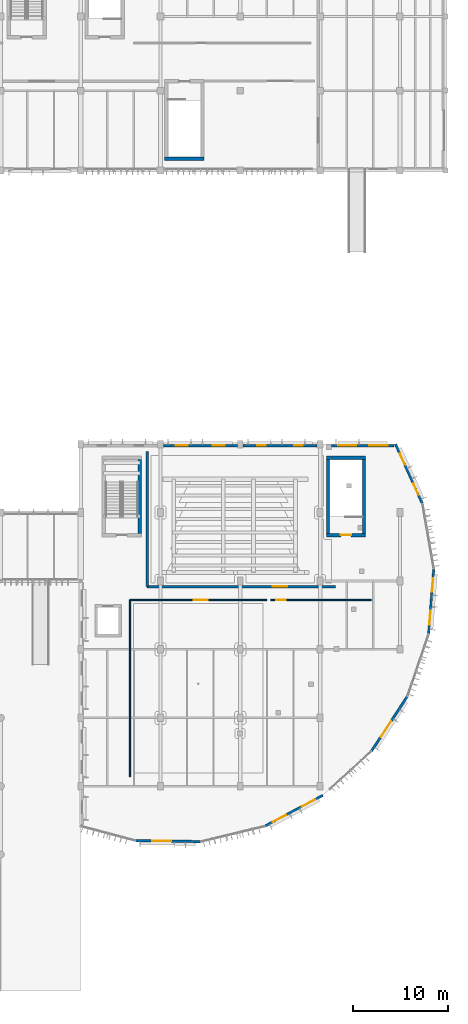
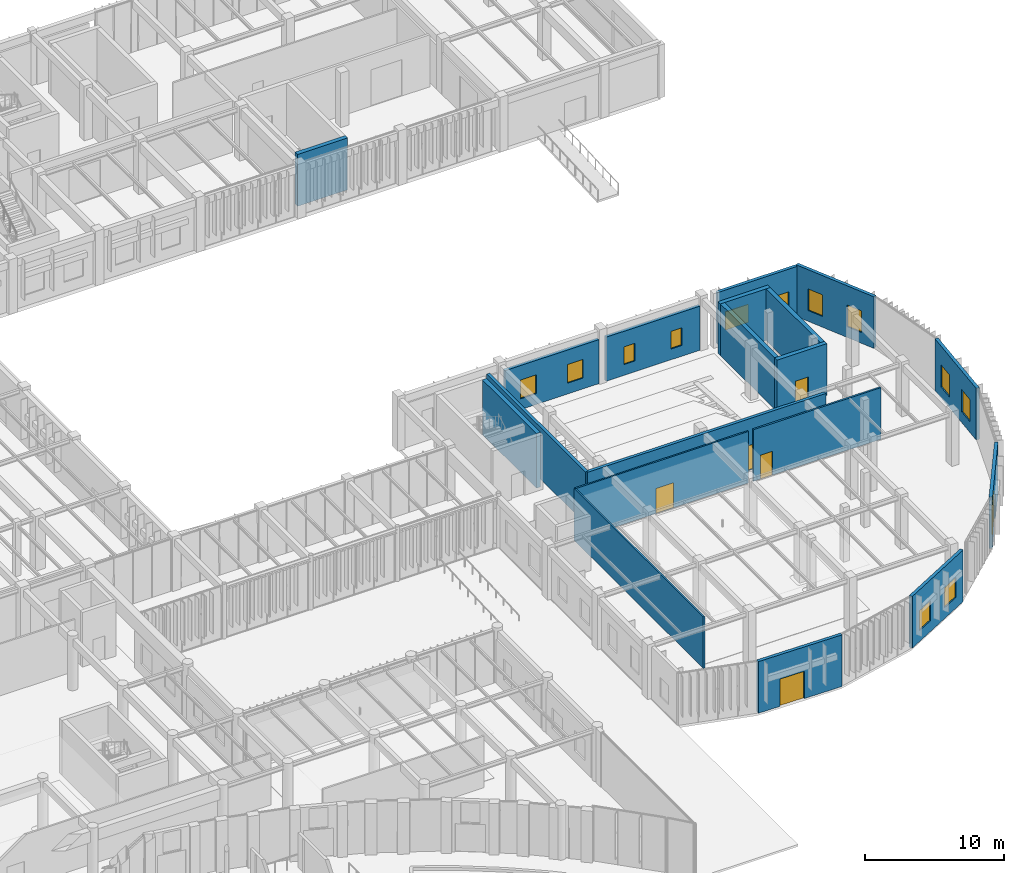
# One storey, part 40 of 122: 19 walls, 12 windows, 6 doors, 18 openings.
"""IFC4 building model written with IfcOpenShell, lengths in metres."""

from ifc_helpers import new_model, si_unit, direction, frame, frame_2d, origin, place, context, subcontext, project, spatial, rectangle, extrude, material, layer, layer_set, type_object, element, fill, save


model = new_model("IFC4")

# Units and contexts
model_context = context("Model", 3, precision=1e-05, world=origin(), true_north=direction((0.0, 1.0)))
body_context = subcontext(model_context, "Body", "Model", "MODEL_VIEW")
ifc_project = project(units=[si_unit("LENGTHUNIT", "METRE"), si_unit("AREAUNIT", "SQUARE_METRE"), si_unit("VOLUMEUNIT", "CUBIC_METRE"), si_unit("PLANEANGLEUNIT", "RADIAN"), si_unit("MASSUNIT", "GRAM", prefix="KILO")], contexts=[model_context])

# Site, building, storey
site_placement = place(None, origin())
site = spatial("IfcSite", under=ifc_project, at=site_placement, CompositionType="ELEMENT")
building_placement = place(site_placement, origin())
building = spatial("IfcBuilding", under=site, at=building_placement, Name="Tazoul Stagehouse", CompositionType="ELEMENT")
storey_placement = place(building_placement, origin())
storey = spatial("IfcBuildingStorey", under=building, at=storey_placement, Name="L00", CompositionType="ELEMENT", Elevation=0.0)

# Wall, opening, door
ifc_material_1 = material(Name="Gypsum Acoustic Partition", Category="gypsum")
ifc_layer_1 = layer(ifc_material_1, 0.25, Name="Gypsum Acoustic Partition")
ifc_layer_set_1 = layer_set([ifc_layer_1], Name="Gypsum Acoustic Partition")
wall_type_1 = type_object("IfcWallType", Name="Acoustic Hall Double-Stud Partition 250", PredefinedType="PARTITIONING", material=ifc_layer_set_1)
wall_1_placement = place(storey_placement, frame((152.199951171875, 44.0, 0.0), z_axis=(0.0, 0.0, 1.0), x_axis=(-1.0, 0.0, 0.0)))
wall_1 = element("IfcWall", 1, at=wall_1_placement, inside=storey, type_object=wall_type_1, Name="L00 Partition PW-250 (PW-RM-L00-026-S)", PredefinedType="PARTITIONING", context=body_context, shape_type="SweptSolid", body=[
    extrude(rectangle(XDim=19.800048828125, YDim=0.25, at=frame_2d((9.89990234375, 0.0))), origin(), (0.0, 0.0, 1.0), 4.5400390625),
])
opening_1_placement = place(wall_1_placement, frame((5.04638671875, 0.0, 0.0)))
opening_1 = element("IfcOpeningElement", 2, at=opening_1_placement, cuts=wall_1, Name="Opening ID-16", PredefinedType="OPENING", context=body_context, shape_type="SweptSolid", body=[
    extrude(rectangle(XDim=1.550048828125, YDim=2.199951171875, at=frame_2d((0.77490234375, 1.10009765625))), frame((0.0, 0.14501953125, 0.0), z_axis=(0.0, -1.0, 0.0), x_axis=(1.0, 0.0, 0.0)), (0.0, 0.0, 1.0), 0.2900390625),
])
ifc_material_2 = material(Name="Acoustic Cedar Timber", Category="wood")
door_type_1 = type_object("IfcDoorType", Name="Studio Theatre Acoustic Double Door 1550x2200", OperationType="DOUBLE_DOOR_SINGLE_SWING", PredefinedType="DOOR", material=ifc_material_2)
door_1_placement = place(opening_1_placement, origin())
door_1 = element("IfcDoor", 3, at=door_1_placement, inside=storey, type_object=door_type_1, Name="L00 Flexible Studio Theatre Bowl Door", OperationType="DOUBLE_DOOR_SINGLE_SWING", OverallHeight=2.199951171875, OverallWidth=1.550048828125, PredefinedType="DOOR", context=body_context, shape_type="SweptSolid", body=[
    extrude(rectangle(XDim=1.550048828125, YDim=2.199951171875, at=frame_2d((0.77490234375, 1.10009765625))), frame((0.0, 0.02490234375, 0.0), z_axis=(0.0, -1.0, 0.0), x_axis=(1.0, 0.0, 0.0)), (0.0, 0.0, 1.0), 0.050048828125),
])
fill(opening_1, door_1)

# Walls
wall_2_placement = place(storey_placement, frame((132.39990234375, 44.0, 0.0), z_axis=(0.0, 0.0, 1.0), x_axis=(0.0, 1.0, 0.0)))
element("IfcWall", 4, at=wall_2_placement, inside=storey, type_object=wall_type_1, Name="L00 Partition PW-250 (PW-RM-L00-026-W)", PredefinedType="PARTITIONING", context=body_context, shape_type="SweptSolid", body=[
    extrude(rectangle(XDim=14.199951171875, YDim=0.25, at=frame_2d((7.10009765625, 0.0))), origin(), (0.0, 0.0, 1.0), 4.5400390625),
])
ifc_material_3 = material(Name="Concrete C40/50", Category="concrete")
ifc_layer_2 = layer(ifc_material_3, 0.35009765625, Name="Concrete C40/50")
ifc_layer_set_2 = layer_set([ifc_layer_2], Name="Concrete C40/50")
wall_type_2 = type_object("IfcWallType", Name="Core Shear Wall 350", PredefinedType="SOLIDWALL", material=ifc_layer_set_2)
wall_3_placement = place(storey_placement, frame((138.39990234375, 89.02490234375, 0.0), z_axis=(0.0, 0.0, 1.0), x_axis=(-1.0, 0.0, 0.0)))
element("IfcWall", 5, at=wall_3_placement, inside=storey, type_object=wall_type_2, Name="L00 Core Wall CW-350 (SHF-ST-B4-south)", PredefinedType="SOLIDWALL", context=body_context, shape_type="SweptSolid", body=[
    extrude(rectangle(XDim=4.14990234375, YDim=0.35009765625, at=frame_2d((2.074951171875, 0.0))), origin(), (0.0, 0.0, 1.0), 4.56005859375),
])
wall_4_placement = place(storey_placement, frame((131.625, 57.39990234375, 0.0), z_axis=(0.0, 0.0, 1.0), x_axis=(0.0, -1.0, 0.0)))
element("IfcWall", 6, at=wall_4_placement, inside=storey, type_object=wall_type_2, Name="L00 Core Wall CW-350 (SHF-ST-07-east)", PredefinedType="SOLIDWALL", context=body_context, shape_type="SweptSolid", body=[
    extrude(rectangle(XDim=7.7998046875, YDim=0.35009765625, at=frame_2d((3.89990234375, 0.0))), origin(), (0.0, 0.0, 1.0), 4.800048828125),
])

# Wall, opening, door
wall_5_placement = place(storey_placement, frame((155.39990234375, 49.425048828125, 0.0), z_axis=(0.0, 0.0, 1.0), x_axis=(-1.0, 0.0, 0.0)))
wall_5 = element("IfcWall", 7, at=wall_5_placement, inside=storey, type_object=wall_type_2, Name="L00 Core Wall CW-350 (SHF-ST-B7-south)", PredefinedType="SOLIDWALL", context=body_context, shape_type="SweptSolid", body=[
    extrude(rectangle(XDim=4.14990234375, YDim=0.35009765625, at=frame_2d((2.074951171875, 0.0))), origin(), (0.0, 0.0, 1.0), 4.5400390625),
])
opening_2_placement = place(wall_5_placement, frame((1.52490234375, 0.0, 0.0)))
opening_2 = element("IfcOpeningElement", 8, at=opening_2_placement, cuts=wall_5, Name="Opening FD-01", PredefinedType="OPENING", context=body_context, shape_type="SweptSolid", body=[
    extrude(rectangle(XDim=1.10009765625, YDim=2.14990234375, at=frame_2d((0.550048828125, 1.074951171875))), frame((0.0, 0.195068359375, 0.0), z_axis=(0.0, -1.0, 0.0), x_axis=(1.0, 0.0, 0.0)), (0.0, 0.0, 1.0), 0.39013671875),
])
ifc_material_4 = material(Name="Powder-Coated Galvanised Acoustic Steel", Category="steel")
door_type_2 = type_object("IfcDoorType", Name="Core Escape Stair Fire Door 1100x2150", OperationType="NOTDEFINED", PredefinedType="DOOR", material=ifc_material_4)
door_2_placement = place(opening_2_placement, origin())
door_2 = element("IfcDoor", 9, at=door_2_placement, inside=storey, type_object=door_type_2, Name="L00 Basement Stair Fire Door FD-01 (ST-B7)", OperationType="SINGLE_SWING_RIGHT", OverallHeight=2.14990234375, OverallWidth=1.10009765625, PredefinedType="DOOR", context=body_context, shape_type="SweptSolid", body=[
    extrude(rectangle(XDim=1.10009765625, YDim=2.14990234375, at=frame_2d((0.550048828125, 1.074951171875))), frame((0.0, 0.02490234375, 0.0), z_axis=(0.0, -1.0, 0.0), x_axis=(1.0, 0.0, 0.0)), (0.0, 0.0, 1.0), 0.050048828125),
])
fill(opening_2, door_2)

# Walls
wall_6_placement = place(storey_placement, frame((151.425048828125, 49.60009765625, 0.0), z_axis=(0.0, 0.0, 1.0), x_axis=(0.0, 1.0, 0.0)))
element("IfcWall", 10, at=wall_6_placement, inside=storey, type_object=wall_type_2, Name="L00 Core Wall CW-350 (SHF-ST-B7-west)", PredefinedType="SOLIDWALL", context=body_context, shape_type="SweptSolid", body=[
    extrude(rectangle(XDim=7.7998046875, YDim=0.35009765625, at=frame_2d((3.89990234375, 0.0))), origin(), (0.0, 0.0, 1.0), 4.5400390625),
])
wall_7_placement = place(storey_placement, frame((151.25, 57.574951171875, 0.0), z_axis=(0.0, 0.0, 1.0), x_axis=(1.0, 0.0, 0.0)))
element("IfcWall", 11, at=wall_7_placement, inside=storey, type_object=wall_type_2, Name="L00 Core Wall CW-350 (SHF-ST-B7-north)", PredefinedType="SOLIDWALL", context=body_context, shape_type="SweptSolid", body=[
    extrude(rectangle(XDim=4.14990234375, YDim=0.35009765625, at=frame_2d((2.074951171875, 0.0))), origin(), (0.0, 0.0, 1.0), 4.5400390625),
])
wall_8_placement = place(storey_placement, frame((155.22509765625, 57.39990234375, 0.0), z_axis=(0.0, 0.0, 1.0), x_axis=(0.0, -1.0, 0.0)))
element("IfcWall", 12, at=wall_8_placement, inside=storey, type_object=wall_type_2, Name="L00 Core Wall CW-350 (SHF-ST-B7-east)", PredefinedType="SOLIDWALL", context=body_context, shape_type="SweptSolid", body=[
    extrude(rectangle(XDim=7.7998046875, YDim=0.35009765625, at=frame_2d((3.89990234375, 0.0))), origin(), (0.0, 0.0, 1.0), 4.5400390625),
])

# Wall, opening, door
ifc_material_5 = material(Name="Precast concrete C40/50", Category="concrete")
ifc_layer_3 = layer(ifc_material_5, 0.260009765625, Name="Precast concrete C40/50")
ifc_layer_set_3 = layer_set([ifc_layer_3], Name="Precast concrete C40/50")
wall_type_3 = type_object("IfcWallType", Name="Curved Studio Drum Terracotta-Concrete Wall 260", PredefinedType="SOLIDWALL", material=ifc_layer_set_3)
wall_9_placement = place(storey_placement, frame((131.15869140625, 17.2685546875, 0.0), z_axis=(0.0, 0.0, 1.0), x_axis=(0.999900645824, -0.01409604486, 0.0)))
wall_9 = element("IfcWall", 13, at=wall_9_placement, inside=storey, type_object=wall_type_3, Name="L00 Wall EW-260 (WALL-V4-DRUM-L00-S02-S1)", PredefinedType="SOLIDWALL", context=body_context, shape_type="SweptSolid", body=[
    extrude(rectangle(XDim=6.91064453125, YDim=0.260009765625, at=frame_2d((3.455322265625, 0.0))), origin(), (0.0, 0.0, 1.0), 4.5400390625),
])
opening_3_placement = place(wall_9_placement, frame((1.800048828125, 0.0, 0.0)))
opening_3 = element("IfcOpeningElement", 14, at=opening_3_placement, cuts=wall_9, Name="Opening ED-02", PredefinedType="OPENING", context=body_context, shape_type="SweptSolid", body=[
    extrude(rectangle(XDim=2.0, YDim=2.39990234375, at=frame_2d((1.0, 1.199951171875))), frame((0.0, 0.14990234375, 0.0), z_axis=(0.0, -1.0, 0.0), x_axis=(1.0, 0.0, 0.0)), (0.0, 0.0, 1.0), 0.300048828125),
])
ifc_material_6 = material(Name="Double Low-E Acoustic Laminated Glass", Category="glass")
door_type_3 = type_object("IfcDoorType", Name="Public Glazed Exit Double Door 2000x2400", OperationType="DOUBLE_DOOR_SINGLE_SWING", PredefinedType="DOOR", material=ifc_material_6)
door_3_placement = place(opening_3_placement, origin())
door_3 = element("IfcDoor", 15, at=door_3_placement, inside=storey, type_object=door_type_3, Name="L00 Door ED-02 (DR-V4-CAFE-2)", OperationType="SINGLE_SWING_LEFT", OverallHeight=2.39990234375, OverallWidth=2.0, PredefinedType="DOOR", context=body_context, shape_type="SweptSolid", body=[
    extrude(rectangle(XDim=2.0, YDim=2.39990234375, at=frame_2d((1.0, 1.199951171875))), frame((0.0, 0.02490234375, 0.0), z_axis=(0.0, -1.0, 0.0), x_axis=(1.0, 0.0, 0.0)), (0.0, 0.0, 1.0), 0.050048828125),
])
fill(opening_3, door_3)

# Wall, openings, windows
wall_10_placement = place(storey_placement, frame((144.785888671875, 18.793212890625, 0.0), z_axis=(0.0, 0.0, 1.0), x_axis=(0.883302743167, 0.468803011843, 0.0)))
wall_10 = element("IfcWall", 16, at=wall_10_placement, inside=storey, type_object=wall_type_3, Name="L00 Wall EW-260 (WALL-V4-DRUM-L00-S04-S1)", PredefinedType="SOLIDWALL", context=body_context, shape_type="SweptSolid", body=[
    extrude(rectangle(XDim=6.91015625, YDim=0.260009765625, at=frame_2d((3.455078125, 0.0))), origin(), (0.0, 0.0, 1.0), 4.5400390625),
])
opening_4_placement = place(wall_10_placement, frame((0.947509765625, 0.0, 0.949951171875)))
opening_4 = element("IfcOpeningElement", 17, at=opening_4_placement, cuts=wall_10, Name="Opening WN-55", PredefinedType="OPENING", context=body_context, shape_type="SweptSolid", body=[
    extrude(rectangle(XDim=1.56005859375, YDim=1.75, at=frame_2d((0.780029296875, 0.875))), frame((0.0, 0.14990234375, 0.0), z_axis=(0.0, -1.0, 0.0), x_axis=(1.0, 0.0, 0.0)), (0.0, 0.0, 1.0), 0.300048828125),
])
opening_5_placement = place(wall_10_placement, frame((4.40283203125, 0.0, 0.949951171875)))
opening_5 = element("IfcOpeningElement", 18, at=opening_5_placement, cuts=wall_10, Name="Opening WN-55", PredefinedType="OPENING", context=body_context, shape_type="SweptSolid", body=[
    extrude(rectangle(XDim=1.56005859375, YDim=1.75, at=frame_2d((0.780029296875, 0.875))), frame((0.0, 0.14990234375, 0.0), z_axis=(0.0, -1.0, 0.0), x_axis=(1.0, 0.0, 0.0)), (0.0, 0.0, 1.0), 0.300048828125),
])
window_type_1 = type_object("IfcWindowType", Name="Architectural Acoustic Facade Window 1560x1750", PartitioningType="SINGLE_PANEL", PredefinedType="WINDOW", material=ifc_material_6)
window_1_placement = place(opening_4_placement, origin())
window_1 = element("IfcWindow", 19, at=window_1_placement, inside=storey, type_object=window_type_1, Name="L00 Window WN-55 (WALL-V4-DRUM-L00-S04-S1-W1)", OverallHeight=1.75, OverallWidth=1.56005859375, PartitioningType="SINGLE_PANEL", PredefinedType="WINDOW", context=body_context, shape_type="SweptSolid", body=[
    extrude(rectangle(XDim=1.56005859375, YDim=1.75, at=frame_2d((0.780029296875, 0.875))), frame((0.0, 0.030029296875, 0.0), z_axis=(0.0, -1.0, 0.0), x_axis=(1.0, 0.0, 0.0)), (0.0, 0.0, 1.0), 0.06005859375),
])
fill(opening_4, window_1)
window_2_placement = place(opening_5_placement, origin())
window_2 = element("IfcWindow", 20, at=window_2_placement, inside=storey, type_object=window_type_1, Name="L00 Window WN-55 (WALL-V4-DRUM-L00-S04-S1-W2)", OverallHeight=1.75, OverallWidth=1.56005859375, PartitioningType="SINGLE_PANEL", PredefinedType="WINDOW", context=body_context, shape_type="SweptSolid", body=[
    extrude(rectangle(XDim=1.56005859375, YDim=1.75, at=frame_2d((0.780029296875, 0.875))), frame((0.0, 0.030029296875, 0.0), z_axis=(0.0, -1.0, 0.0), x_axis=(1.0, 0.0, 0.0)), (0.0, 0.0, 1.0), 0.06005859375),
])
fill(opening_5, window_2)

# Wall, opening, door
wall_11_placement = place(storey_placement, frame((155.99755859375, 26.687255859375, 0.0), z_axis=(0.0, 0.0, 1.0), x_axis=(0.548668788702, 0.836039807846, 0.0)))
wall_11 = element("IfcWall", 21, at=wall_11_placement, inside=storey, type_object=wall_type_3, Name="L00 Wall EW-260 (WALL-V4-DRUM-L00-S06-S1)", PredefinedType="SOLIDWALL", context=body_context, shape_type="SweptSolid", body=[
    extrude(rectangle(XDim=6.910400390625, YDim=0.260009765625, at=frame_2d((3.455078125, 0.0))), origin(), (0.0, 0.0, 1.0), 4.5400390625),
])
opening_6_placement = place(wall_11_placement, frame((1.800048828125, 0.0, 0.0)))
opening_6 = element("IfcOpeningElement", 22, at=opening_6_placement, cuts=wall_11, Name="Opening ED-02", PredefinedType="OPENING", context=body_context, shape_type="SweptSolid", body=[
    extrude(rectangle(XDim=2.0, YDim=2.39990234375, at=frame_2d((1.0, 1.199951171875))), frame((0.0, 0.14990234375, 0.0), z_axis=(0.0, -1.0, 0.0), x_axis=(1.0, 0.0, 0.0)), (0.0, 0.0, 1.0), 0.300048828125),
])
door_4_placement = place(opening_6_placement, origin())
door_4 = element("IfcDoor", 23, at=door_4_placement, inside=storey, type_object=door_type_3, Name="L00 Door ED-02 (DR-V4-CAFE-6)", OperationType="SINGLE_SWING_LEFT", OverallHeight=2.39990234375, OverallWidth=2.0, PredefinedType="DOOR", context=body_context, shape_type="SweptSolid", body=[
    extrude(rectangle(XDim=2.0, YDim=2.39990234375, at=frame_2d((1.0, 1.199951171875))), frame((0.0, 0.02490234375, 0.0), z_axis=(0.0, -1.0, 0.0), x_axis=(1.0, 0.0, 0.0)), (0.0, 0.0, 1.0), 0.050048828125),
])
fill(opening_6, door_4)

# Wall, openings, windows
wall_12_placement = place(storey_placement, frame((162.026611328125, 39.002685546875, 0.0), z_axis=(0.0, 0.0, 1.0), x_axis=(0.078609163402, 0.996905511786, 0.0)))
wall_12 = element("IfcWall", 24, at=wall_12_placement, inside=storey, type_object=wall_type_3, Name="L00 Wall EW-260 (WALL-V4-DRUM-L00-S08-S1)", PredefinedType="SOLIDWALL", context=body_context, shape_type="SweptSolid", body=[
    extrude(rectangle(XDim=6.910400390625, YDim=0.260009765625, at=frame_2d((3.455078125, 0.0))), origin(), (0.0, 0.0, 1.0), 4.5400390625),
])
opening_7_placement = place(wall_12_placement, frame((1.007568359375, 0.0, 0.949951171875)))
opening_7 = element("IfcOpeningElement", 25, at=opening_7_placement, cuts=wall_12, Name="Opening WN-76", PredefinedType="OPENING", context=body_context, shape_type="SweptSolid", body=[
    extrude(rectangle(XDim=1.43994140625, YDim=1.949951171875, at=frame_2d((0.719970703125, 0.97509765625))), frame((0.0, 0.14990234375, 0.0), z_axis=(0.0, -1.0, 0.0), x_axis=(1.0, 0.0, 0.0)), (0.0, 0.0, 1.0), 0.300048828125),
])
opening_8_placement = place(wall_12_placement, frame((4.462646484375, 0.0, 0.949951171875)))
opening_8 = element("IfcOpeningElement", 26, at=opening_8_placement, cuts=wall_12, Name="Opening WN-76", PredefinedType="OPENING", context=body_context, shape_type="SweptSolid", body=[
    extrude(rectangle(XDim=1.43994140625, YDim=1.949951171875, at=frame_2d((0.719970703125, 0.97509765625))), frame((0.0, 0.14990234375, 0.0), z_axis=(0.0, -1.0, 0.0), x_axis=(1.0, 0.0, 0.0)), (0.0, 0.0, 1.0), 0.300048828125),
])
window_type_2 = type_object("IfcWindowType", Name="Architectural Acoustic Facade Window 1440x1950", PartitioningType="SINGLE_PANEL", PredefinedType="WINDOW", material=ifc_material_6)
window_3_placement = place(opening_7_placement, origin())
window_3 = element("IfcWindow", 27, at=window_3_placement, inside=storey, type_object=window_type_2, Name="L00 Window WN-76 (WALL-V4-DRUM-L00-S08-S1-W1)", OverallHeight=1.949951171875, OverallWidth=1.43994140625, PartitioningType="SINGLE_PANEL", PredefinedType="WINDOW", context=body_context, shape_type="SweptSolid", body=[
    extrude(rectangle(XDim=1.43994140625, YDim=1.949951171875, at=frame_2d((0.719970703125, 0.97509765625))), frame((0.0, 0.030029296875, 0.0), z_axis=(0.0, -1.0, 0.0), x_axis=(1.0, 0.0, 0.0)), (0.0, 0.0, 1.0), 0.06005859375),
])
fill(opening_7, window_3)
window_4_placement = place(opening_8_placement, origin())
window_4 = element("IfcWindow", 28, at=window_4_placement, inside=storey, type_object=window_type_2, Name="L00 Window WN-76 (WALL-V4-DRUM-L00-S08-S1-W2)", OverallHeight=1.949951171875, OverallWidth=1.43994140625, PartitioningType="SINGLE_PANEL", PredefinedType="WINDOW", context=body_context, shape_type="SweptSolid", body=[
    extrude(rectangle(XDim=1.43994140625, YDim=1.949951171875, at=frame_2d((0.719970703125, 0.97509765625))), frame((0.0, 0.030029296875, 0.0), z_axis=(0.0, -1.0, 0.0), x_axis=(1.0, 0.0, 0.0)), (0.0, 0.0, 1.0), 0.06005859375),
])
fill(opening_8, window_4)

wall_13_placement = place(storey_placement, frame((161.384765625, 52.69970703125, 0.0), z_axis=(0.0, 0.0, 1.0), x_axis=(-0.410843511641, 0.911705878528, 0.0)))
wall_13 = element("IfcWall", 29, at=wall_13_placement, inside=storey, type_object=wall_type_3, Name="L00 Wall EW-260 (WALL-V4-DRUM-L00-S10-S1)", PredefinedType="SOLIDWALL", context=body_context, shape_type="SweptSolid", body=[
    extrude(rectangle(XDim=6.910400390625, YDim=0.260009765625, at=frame_2d((3.455078125, 0.0))), origin(), (0.0, 0.0, 1.0), 4.5400390625),
])
opening_9_placement = place(wall_13_placement, frame((1.08251953125, 0.0, 0.949951171875)))
opening_9 = element("IfcOpeningElement", 30, at=opening_9_placement, cuts=wall_13, Name="Opening WN-71", PredefinedType="OPENING", context=body_context, shape_type="SweptSolid", body=[
    extrude(rectangle(XDim=1.2900390625, YDim=1.89990234375, at=frame_2d((0.64501953125, 0.949951171875))), frame((0.0, 0.14990234375, 0.0), z_axis=(0.0, -1.0, 0.0), x_axis=(1.0, 0.0, 0.0)), (0.0, 0.0, 1.0), 0.300048828125),
])
opening_10_placement = place(wall_13_placement, frame((4.537841796875, 0.0, 0.949951171875)))
opening_10 = element("IfcOpeningElement", 31, at=opening_10_placement, cuts=wall_13, Name="Opening WN-71", PredefinedType="OPENING", context=body_context, shape_type="SweptSolid", body=[
    extrude(rectangle(XDim=1.2900390625, YDim=1.89990234375, at=frame_2d((0.64501953125, 0.949951171875))), frame((0.0, 0.14990234375, 0.0), z_axis=(0.0, -1.0, 0.0), x_axis=(1.0, 0.0, 0.0)), (0.0, 0.0, 1.0), 0.300048828125),
])
window_type_3 = type_object("IfcWindowType", Name="Architectural Acoustic Facade Window 1290x1900", PartitioningType="SINGLE_PANEL", PredefinedType="WINDOW", material=ifc_material_6)
window_5_placement = place(opening_9_placement, origin())
window_5 = element("IfcWindow", 32, at=window_5_placement, inside=storey, type_object=window_type_3, Name="L00 Window WN-71 (WALL-V4-DRUM-L00-S10-S1-W1)", OverallHeight=1.89990234375, OverallWidth=1.2900390625, PartitioningType="SINGLE_PANEL", PredefinedType="WINDOW", context=body_context, shape_type="SweptSolid", body=[
    extrude(rectangle(XDim=1.2900390625, YDim=1.89990234375, at=frame_2d((0.64501953125, 0.949951171875))), frame((0.0, 0.030029296875, 0.0), z_axis=(0.0, -1.0, 0.0), x_axis=(1.0, 0.0, 0.0)), (0.0, 0.0, 1.0), 0.06005859375),
])
fill(opening_9, window_5)
window_6_placement = place(opening_10_placement, origin())
window_6 = element("IfcWindow", 33, at=window_6_placement, inside=storey, type_object=window_type_3, Name="L00 Window WN-71 (WALL-V4-DRUM-L00-S10-S1-W2)", OverallHeight=1.89990234375, OverallWidth=1.2900390625, PartitioningType="SINGLE_PANEL", PredefinedType="WINDOW", context=body_context, shape_type="SweptSolid", body=[
    extrude(rectangle(XDim=1.2900390625, YDim=1.89990234375, at=frame_2d((0.64501953125, 0.949951171875))), frame((0.0, 0.030029296875, 0.0), z_axis=(0.0, -1.0, 0.0), x_axis=(1.0, 0.0, 0.0)), (0.0, 0.0, 1.0), 0.06005859375),
])
fill(opening_10, window_6)

wall_14_placement = place(storey_placement, frame((134.10498046875, 58.85009765625, 0.0), z_axis=(0.0, 0.0, 1.0), x_axis=(1.0, 0.0, 0.0)))
wall_14 = element("IfcWall", 34, at=wall_14_placement, inside=storey, type_object=wall_type_3, Name="L00 Wall EW-260 (WALL-V4-N-L00-S2)", PredefinedType="SOLIDWALL", context=body_context, shape_type="SweptSolid", body=[
    extrude(rectangle(XDim=7.7900390625, YDim=0.260009765625, at=frame_2d((3.89501953125, 0.0))), origin(), (0.0, 0.0, 1.0), 3.873046875),
])
opening_11_placement = place(wall_14_placement, frame((1.302490234375, 0.0, 0.949951171875)))
opening_11 = element("IfcOpeningElement", 35, at=opening_11_placement, cuts=wall_14, Name="Opening WN-46", PredefinedType="OPENING", context=body_context, shape_type="SweptSolid", body=[
    extrude(rectangle(XDim=1.2900390625, YDim=1.64990234375, at=frame_2d((0.64501953125, 0.824951171875))), frame((0.0, 0.14990234375, 0.0), z_axis=(0.0, -1.0, 0.0), x_axis=(1.0, 0.0, 0.0)), (0.0, 0.0, 1.0), 0.300048828125),
])
opening_12_placement = place(wall_14_placement, frame((5.197509765625, 0.0, 0.949951171875)))
opening_12 = element("IfcOpeningElement", 36, at=opening_12_placement, cuts=wall_14, Name="Opening WN-46", PredefinedType="OPENING", context=body_context, shape_type="SweptSolid", body=[
    extrude(rectangle(XDim=1.2900390625, YDim=1.64990234375, at=frame_2d((0.64501953125, 0.824951171875))), frame((0.0, 0.14990234375, 0.0), z_axis=(0.0, -1.0, 0.0), x_axis=(1.0, 0.0, 0.0)), (0.0, 0.0, 1.0), 0.300048828125),
])
window_type_4 = type_object("IfcWindowType", Name="Architectural Acoustic Facade Window 1290x1650", PartitioningType="SINGLE_PANEL", PredefinedType="WINDOW", material=ifc_material_6)
window_7_placement = place(opening_11_placement, origin())
window_7 = element("IfcWindow", 37, at=window_7_placement, inside=storey, type_object=window_type_4, Name="L00 Window WN-46 (WALL-V4-N-L00-S2-W1)", OverallHeight=1.64990234375, OverallWidth=1.2900390625, PartitioningType="SINGLE_PANEL", PredefinedType="WINDOW", context=body_context, shape_type="SweptSolid", body=[
    extrude(rectangle(XDim=1.2900390625, YDim=1.64990234375, at=frame_2d((0.64501953125, 0.824951171875))), frame((0.0, 0.030029296875, 0.0), z_axis=(0.0, -1.0, 0.0), x_axis=(1.0, 0.0, 0.0)), (0.0, 0.0, 1.0), 0.06005859375),
])
fill(opening_11, window_7)
window_8_placement = place(opening_12_placement, origin())
window_8 = element("IfcWindow", 38, at=window_8_placement, inside=storey, type_object=window_type_4, Name="L00 Window WN-46 (WALL-V4-N-L00-S2-W2)", OverallHeight=1.64990234375, OverallWidth=1.2900390625, PartitioningType="SINGLE_PANEL", PredefinedType="WINDOW", context=body_context, shape_type="SweptSolid", body=[
    extrude(rectangle(XDim=1.2900390625, YDim=1.64990234375, at=frame_2d((0.64501953125, 0.824951171875))), frame((0.0, 0.030029296875, 0.0), z_axis=(0.0, -1.0, 0.0), x_axis=(1.0, 0.0, 0.0)), (0.0, 0.0, 1.0), 0.06005859375),
])
fill(opening_12, window_8)

wall_15_placement = place(storey_placement, frame((142.5048828125, 58.85009765625, 0.0), z_axis=(0.0, 0.0, 1.0), x_axis=(1.0, 0.0, 0.0)))
wall_15 = element("IfcWall", 39, at=wall_15_placement, inside=storey, type_object=wall_type_3, Name="L00 Wall EW-260 (WALL-V4-N-L00-S3)", PredefinedType="SOLIDWALL", context=body_context, shape_type="SweptSolid", body=[
    extrude(rectangle(XDim=7.7900390625, YDim=0.260009765625, at=frame_2d((3.89501953125, 0.0))), origin(), (0.0, 0.0, 1.0), 3.873046875),
])
opening_13_placement = place(wall_15_placement, frame((1.49755859375, 0.0, 0.949951171875)))
opening_13 = element("IfcOpeningElement", 40, at=opening_13_placement, cuts=wall_15, Name="Opening WN-33", PredefinedType="OPENING", context=body_context, shape_type="SweptSolid", body=[
    extrude(rectangle(XDim=0.89990234375, YDim=1.550048828125, at=frame_2d((0.449951171875, 0.77490234375))), frame((0.0, 0.14990234375, 0.0), z_axis=(0.0, -1.0, 0.0), x_axis=(1.0, 0.0, 0.0)), (0.0, 0.0, 1.0), 0.300048828125),
])
opening_14_placement = place(wall_15_placement, frame((5.392578125, 0.0, 0.949951171875)))
opening_14 = element("IfcOpeningElement", 41, at=opening_14_placement, cuts=wall_15, Name="Opening WN-33", PredefinedType="OPENING", context=body_context, shape_type="SweptSolid", body=[
    extrude(rectangle(XDim=0.89990234375, YDim=1.550048828125, at=frame_2d((0.449951171875, 0.77490234375))), frame((0.0, 0.14990234375, 0.0), z_axis=(0.0, -1.0, 0.0), x_axis=(1.0, 0.0, 0.0)), (0.0, 0.0, 1.0), 0.300048828125),
])
window_type_5 = type_object("IfcWindowType", Name="Architectural Acoustic Facade Window 900x1550", PartitioningType="SINGLE_PANEL", PredefinedType="WINDOW", material=ifc_material_6)
window_9_placement = place(opening_13_placement, origin())
window_9 = element("IfcWindow", 42, at=window_9_placement, inside=storey, type_object=window_type_5, Name="L00 Window WN-33 (WALL-V4-N-L00-S3-W1)", OverallHeight=1.550048828125, OverallWidth=0.89990234375, PartitioningType="SINGLE_PANEL", PredefinedType="WINDOW", context=body_context, shape_type="SweptSolid", body=[
    extrude(rectangle(XDim=0.89990234375, YDim=1.550048828125, at=frame_2d((0.449951171875, 0.77490234375))), frame((0.0, 0.030029296875, 0.0), z_axis=(0.0, -1.0, 0.0), x_axis=(1.0, 0.0, 0.0)), (0.0, 0.0, 1.0), 0.06005859375),
])
fill(opening_13, window_9)
window_10_placement = place(opening_14_placement, origin())
window_10 = element("IfcWindow", 43, at=window_10_placement, inside=storey, type_object=window_type_5, Name="L00 Window WN-33 (WALL-V4-N-L00-S3-W2)", OverallHeight=1.550048828125, OverallWidth=0.89990234375, PartitioningType="SINGLE_PANEL", PredefinedType="WINDOW", context=body_context, shape_type="SweptSolid", body=[
    extrude(rectangle(XDim=0.89990234375, YDim=1.550048828125, at=frame_2d((0.449951171875, 0.77490234375))), frame((0.0, 0.030029296875, 0.0), z_axis=(0.0, -1.0, 0.0), x_axis=(1.0, 0.0, 0.0)), (0.0, 0.0, 1.0), 0.06005859375),
])
fill(opening_14, window_10)

wall_16_placement = place(storey_placement, frame((151.783203125, 58.85009765625, 0.0), z_axis=(0.0, 0.0, 1.0), x_axis=(1.0, 0.0, 0.0)))
wall_16 = element("IfcWall", 44, at=wall_16_placement, inside=storey, type_object=wall_type_3, Name="L00 Wall EW-260 (WALL-V4-N-L00-S4)", PredefinedType="SOLIDWALL", context=body_context, shape_type="SweptSolid", body=[
    extrude(rectangle(XDim=6.61669921875, YDim=0.260009765625, at=frame_2d((3.308349609375, 0.0))), origin(), (0.0, 0.0, 1.0), 4.5400390625),
])
opening_15_placement = place(wall_16_placement, frame((0.7041015625, 0.0, 0.949951171875)))
opening_15 = element("IfcOpeningElement", 45, at=opening_15_placement, cuts=wall_16, Name="Opening WN-27", PredefinedType="OPENING", context=body_context, shape_type="SweptSolid", body=[
    extrude(rectangle(XDim=1.89990234375, YDim=1.60009765625, at=frame_2d((0.949951171875, 0.800048828125))), frame((0.0, 0.14990234375, 0.0), z_axis=(0.0, -1.0, 0.0), x_axis=(1.0, 0.0, 0.0)), (0.0, 0.0, 1.0), 0.300048828125),
])
opening_16_placement = place(wall_16_placement, frame((4.0126953125, 0.0, 0.949951171875)))
opening_16 = element("IfcOpeningElement", 46, at=opening_16_placement, cuts=wall_16, Name="Opening WN-27", PredefinedType="OPENING", context=body_context, shape_type="SweptSolid", body=[
    extrude(rectangle(XDim=1.89990234375, YDim=1.60009765625, at=frame_2d((0.949951171875, 0.800048828125))), frame((0.0, 0.14990234375, 0.0), z_axis=(0.0, -1.0, 0.0), x_axis=(1.0, 0.0, 0.0)), (0.0, 0.0, 1.0), 0.300048828125),
])
window_type_6 = type_object("IfcWindowType", Name="Rehearsal Daylight Window 1900x1600", PartitioningType="SINGLE_PANEL", PredefinedType="WINDOW", material=ifc_material_6)
window_11_placement = place(opening_15_placement, origin())
window_11 = element("IfcWindow", 47, at=window_11_placement, inside=storey, type_object=window_type_6, Name="L00 Window WN-27 (WALL-V4-N-L00-S4-W1)", OverallHeight=1.60009765625, OverallWidth=1.89990234375, PartitioningType="SINGLE_PANEL", PredefinedType="WINDOW", context=body_context, shape_type="SweptSolid", body=[
    extrude(rectangle(XDim=1.89990234375, YDim=1.60009765625, at=frame_2d((0.949951171875, 0.800048828125))), frame((0.0, 0.030029296875, 0.0), z_axis=(0.0, -1.0, 0.0), x_axis=(1.0, 0.0, 0.0)), (0.0, 0.0, 1.0), 0.06005859375),
])
fill(opening_15, window_11)
window_12_placement = place(opening_16_placement, origin())
window_12 = element("IfcWindow", 48, at=window_12_placement, inside=storey, type_object=window_type_6, Name="L00 Window WN-27 (WALL-V4-N-L00-S4-W2)", OverallHeight=1.60009765625, OverallWidth=1.89990234375, PartitioningType="SINGLE_PANEL", PredefinedType="WINDOW", context=body_context, shape_type="SweptSolid", body=[
    extrude(rectangle(XDim=1.89990234375, YDim=1.60009765625, at=frame_2d((0.949951171875, 0.800048828125))), frame((0.0, 0.030029296875, 0.0), z_axis=(0.0, -1.0, 0.0), x_axis=(1.0, 0.0, 0.0)), (0.0, 0.0, 1.0), 0.06005859375),
])
fill(opening_16, window_12)

# Wall, opening, door
ifc_layer_4 = layer(ifc_material_1, 0.14990234375, Name="Gypsum Acoustic Partition")
ifc_layer_set_4 = layer_set([ifc_layer_4], Name="Gypsum Acoustic Partition")
wall_type_4 = type_object("IfcWallType", Name="Dressing Suite Acoustic Partition 150", PredefinedType="PARTITIONING", material=ifc_layer_set_4)
wall_17_placement = place(storey_placement, frame((145.39990234375, 42.60009765625, 0.0), z_axis=(0.0, 0.0, 1.0), x_axis=(1.0, 0.0, 0.0)))
wall_17 = element("IfcWall", 49, at=wall_17_placement, inside=storey, type_object=wall_type_4, Name="L00 Partition PW-150 (PW-RM-L00-028-N)", PredefinedType="PARTITIONING", context=body_context, shape_type="SweptSolid", body=[
    extrude(rectangle(XDim=10.60009765625, YDim=0.14990234375, at=frame_2d((5.300048828125, 0.0))), origin(), (0.0, 0.0, 1.0), 4.5400390625),
])
opening_17_placement = place(wall_17_placement, frame((0.59716796875, 0.0, 0.0)))
opening_17 = element("IfcOpeningElement", 50, at=opening_17_placement, cuts=wall_17, Name="Opening ID-12", PredefinedType="OPENING", context=body_context, shape_type="SweptSolid", body=[
    extrude(rectangle(XDim=1.0, YDim=2.10009765625, at=frame_2d((0.5, 1.050048828125))), frame((0.0, 0.094970703125, 0.0), z_axis=(0.0, -1.0, 0.0), x_axis=(1.0, 0.0, 0.0)), (0.0, 0.0, 1.0), 0.18994140625),
])
door_type_4 = type_object("IfcDoorType", Name="Cafe Kitchen Service Door 1000x2100", OperationType="NOTDEFINED", PredefinedType="DOOR", material=ifc_material_2)
door_5_placement = place(opening_17_placement, origin())
door_5 = element("IfcDoor", 51, at=door_5_placement, inside=storey, type_object=door_type_4, Name="L00 Cafe Preparation Kitchen Door", OperationType="SINGLE_SWING_RIGHT", OverallHeight=2.10009765625, OverallWidth=1.0, PredefinedType="DOOR", context=body_context, shape_type="SweptSolid", body=[
    extrude(rectangle(XDim=1.0, YDim=2.10009765625, at=frame_2d((0.5, 1.050048828125))), frame((0.0, 0.02490234375, 0.0), z_axis=(0.0, -1.0, 0.0), x_axis=(1.0, 0.0, 0.0)), (0.0, 0.0, 1.0), 0.050048828125),
])
fill(opening_17, door_5)

ifc_layer_5 = layer(ifc_material_1, 0.1298828125, Name="Gypsum Acoustic Partition")
ifc_layer_set_5 = layer_set([ifc_layer_5], Name="Gypsum Acoustic Partition")
wall_type_5 = type_object("IfcWallType", Name="Office Drywall Partition 130", PredefinedType="PARTITIONING", material=ifc_layer_set_5)
wall_18_placement = place(storey_placement, frame((130.60009765625, 42.60009765625, 0.0), z_axis=(0.0, 0.0, 1.0), x_axis=(1.0, 0.0, 0.0)))
wall_18 = element("IfcWall", 52, at=wall_18_placement, inside=storey, type_object=wall_type_5, Name="L00 Partition PW-130 (PW-RM-L00-027-N)", PredefinedType="PARTITIONING", context=body_context, shape_type="SweptSolid", body=[
    extrude(rectangle(XDim=14.39990234375, YDim=0.1298828125, at=frame_2d((7.199951171875, 0.0))), origin(), (0.0, 0.0, 1.0), 4.5400390625),
])
opening_18_placement = place(wall_18_placement, frame((6.719970703125, 0.0, 0.0)))
opening_18 = element("IfcOpeningElement", 53, at=opening_18_placement, cuts=wall_18, Name="Opening ID-21", PredefinedType="OPENING", context=body_context, shape_type="SweptSolid", body=[
    extrude(rectangle(XDim=1.449951171875, YDim=2.199951171875, at=frame_2d((0.72509765625, 1.10009765625))), frame((0.0, 0.0849609375, 0.0), z_axis=(0.0, -1.0, 0.0), x_axis=(1.0, 0.0, 0.0)), (0.0, 0.0, 1.0), 0.169921875),
])
door_type_5 = type_object("IfcDoorType", Name="Press Conference Double Door 1450x2200", OperationType="DOUBLE_DOOR_SINGLE_SWING", PredefinedType="DOOR", material=ifc_material_2)
door_6_placement = place(opening_18_placement, origin())
door_6 = element("IfcDoor", 54, at=door_6_placement, inside=storey, type_object=door_type_5, Name="L00 Cultural Bookshop and Espresso Cafe Door", OperationType="DOUBLE_DOOR_SINGLE_SWING", OverallHeight=2.199951171875, OverallWidth=1.449951171875, PredefinedType="DOOR", context=body_context, shape_type="SweptSolid", body=[
    extrude(rectangle(XDim=1.449951171875, YDim=2.199951171875, at=frame_2d((0.72509765625, 1.10009765625))), frame((0.0, 0.02490234375, 0.0), z_axis=(0.0, -1.0, 0.0), x_axis=(1.0, 0.0, 0.0)), (0.0, 0.0, 1.0), 0.050048828125),
])
fill(opening_18, door_6)

# Wall
wall_19_placement = place(storey_placement, frame((130.60009765625, 24.0, 0.0), z_axis=(0.0, 0.0, 1.0), x_axis=(0.0, 1.0, 0.0)))
element("IfcWall", 55, at=wall_19_placement, inside=storey, type_object=wall_type_5, Name="L00 Partition PW-130 (PW-RM-L00-027-W)", PredefinedType="PARTITIONING", context=body_context, shape_type="SweptSolid", body=[
    extrude(rectangle(XDim=18.60009765625, YDim=0.1298828125, at=frame_2d((9.300048828125, 0.0))), origin(), (0.0, 0.0, 1.0), 4.5400390625),
])

save(model, "model.ifc")
